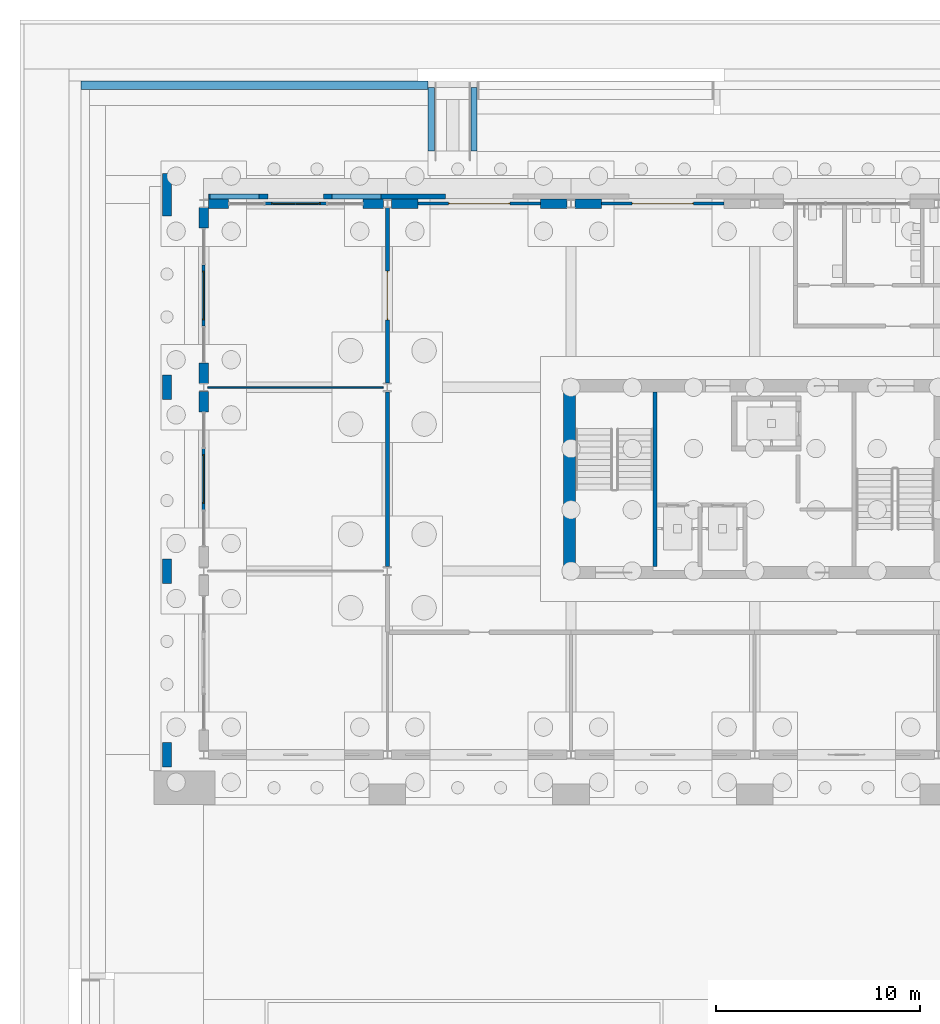
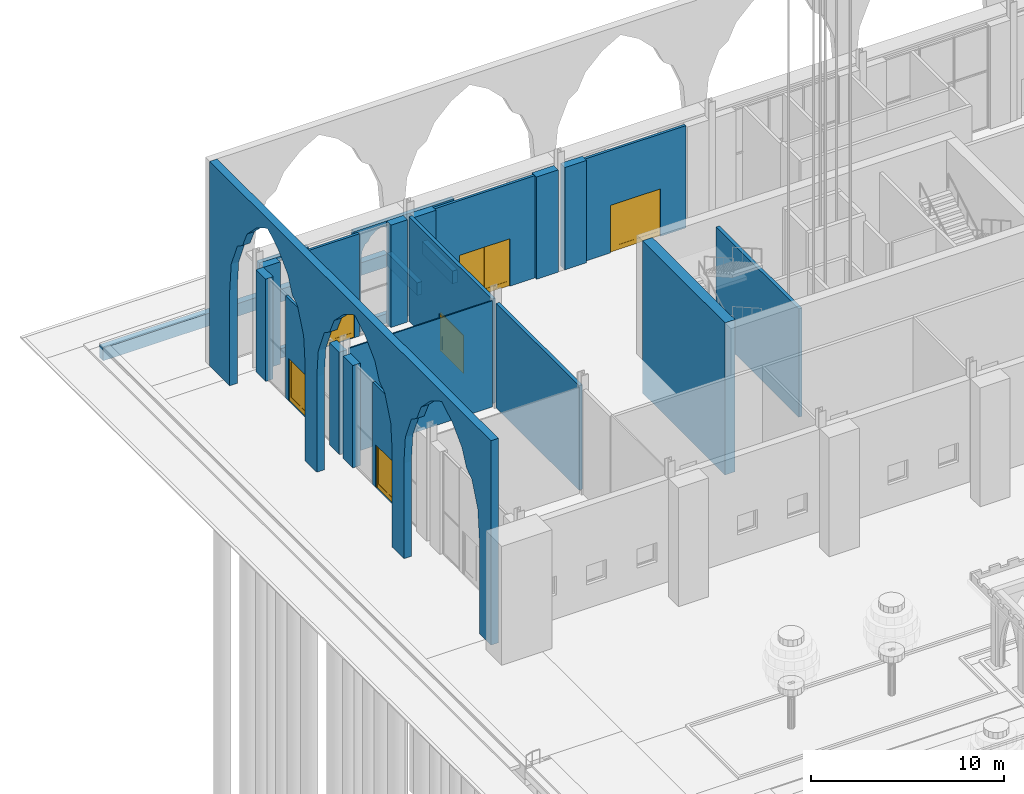
# One storey, part 134 of 250: 24 walls, 6 doors, 6 openings.
"""IFC4 building model written with IfcOpenShell, lengths in metres."""

from ifc_helpers import new_model, si_unit, direction, frame, frame_2d, origin, place, context, subcontext, project, spatial, polyline, rectangle, outline, extrude, material, layer, layer_set, type_object, element, fill, save


model = new_model("IFC4")

# Units and contexts
model_context = context("Model", 3, precision=1e-05, world=origin(), true_north=direction((0.0, 1.0)))
body_context = subcontext(model_context, "Body", "Model", "MODEL_VIEW")
ifc_project = project(units=[si_unit("LENGTHUNIT", "METRE"), si_unit("AREAUNIT", "SQUARE_METRE"), si_unit("VOLUMEUNIT", "CUBIC_METRE"), si_unit("PLANEANGLEUNIT", "RADIAN"), si_unit("MASSUNIT", "GRAM", prefix="KILO")], contexts=[model_context])

# Site, building, storey
site_placement = place(None, origin())
site = spatial("IfcSite", under=ifc_project, at=site_placement, CompositionType="ELEMENT")
building_placement = place(site_placement, origin())
building = spatial("IfcBuilding", under=site, at=building_placement, Name="Baradari Gate Terminus", CompositionType="ELEMENT")
storey_placement = place(building_placement, origin())
storey = spatial("IfcBuildingStorey", under=building, at=storey_placement, Name="L00", CompositionType="ELEMENT", Elevation=0.0)

# Wall, opening, door
ifc_material_1 = material(Name="Laminated glass in aluminium frame", Category="aluminium")
ifc_layer_1 = layer(ifc_material_1, 0.14990234375)
ifc_layer_set_1 = layer_set([ifc_layer_1], Name="Laminated glass in aluminium frame")
wall_type_1 = type_object("IfcWallType", Name="Glazed entrance screen WG-1 150", PredefinedType="ELEMENTEDWALL", material=ifc_layer_set_1)
wall_1_placement = place(storey_placement, frame((12.0126953125, 144.0, 0.0), z_axis=(0.0, 0.0, 1.0), x_axis=(1.0, 0.0, 0.0)))
wall_1 = element("IfcWall", 1, at=wall_1_placement, inside=storey, type_object=wall_type_1, Name="Glazed entrance screen TN bay 1 L00", PredefinedType="ELEMENTEDWALL", context=body_context, shape_type="SweptSolid", body=[
    extrude(rectangle(XDim=3.0, YDim=0.14990234375, at=frame_2d((1.5, 0.0))), origin(), (0.0, 0.0, 1.0), 6.459716796875),
])
opening_1_placement = place(wall_1_placement, frame((0.300048828125, 0.0, 0.0)))
opening_1 = element("IfcOpeningElement", 2, at=opening_1_placement, cuts=wall_1, Name="Opening D00-001", PredefinedType="OPENING", context=body_context, shape_type="SweptSolid", body=[
    extrude(rectangle(XDim=2.39990234375, YDim=2.699951171875, at=frame_2d((1.199951171875, 1.35009765625))), frame((0.0, 0.0849609375, 0.0), z_axis=(0.0, -1.0, 0.0), x_axis=(1.0, 0.0, 0.0)), (0.0, 0.0, 1.0), 0.169921875),
])
ifc_material_2 = material(Name="Aluminium 6063-T6", Category="aluminium")
door_type_1 = type_object("IfcDoorType", Name="Shop entrance door pair, glazed DT-2 2400x2700", OperationType="DOUBLE_DOOR_DOUBLE_SWING", PredefinedType="DOOR", material=ifc_material_2)
door_1_placement = place(opening_1_placement, origin())
door_1 = element("IfcDoor", 3, at=door_1_placement, inside=storey, type_object=door_type_1, Name="Entrance door Corner Entrance Hall", OperationType="DOUBLE_DOOR_SINGLE_SWING", OverallHeight=2.7, OverallWidth=2.4, PredefinedType="DOOR", context=body_context, shape_type="SweptSolid", body=[
    extrude(outline(polyline([(0.0, 0.0), (0.070068359375, 0.0), (0.070068359375, 2.6298828125), (2.329833984375, 2.6298828125), (2.329833984375, 0.0), (2.39990234375, 0.0), (2.39990234375, 2.699951171875), (0.0, 2.699951171875), (0.0, 0.0)])), frame((0.0, 0.02490234375, 0.0), z_axis=(0.0, -1.0, 0.0), x_axis=(1.0, 0.0, 0.0)), (0.0, 0.0, 1.0), 0.050048828125),
    extrude(outline(polyline([(0.073974609375, 0.010009765625), (1.19677734375, 0.010009765625), (1.19677734375, 2.6259765625), (0.073974609375, 2.6259765625), (0.073974609375, 0.010009765625)]), holes=[polyline([(0.1640625, 0.31005859375), (1.10693359375, 0.31005859375), (1.10693359375, 2.535888671875), (0.1640625, 2.535888671875), (0.1640625, 0.31005859375)])]), frame((0.0, 0.017333984375, 0.0), z_axis=(0.0, -1.0, 0.0), x_axis=(1.0, 0.0, 0.0)), (0.0, 0.0, 1.0), 0.034912109375),
    extrude(rectangle(XDim=0.94287109375, YDim=2.225830078125, at=frame_2d((0.635498046875, 1.4228515625))), frame((0.0, 0.005859375, 0.0), z_axis=(0.0, -1.0, 0.0), x_axis=(1.0, 0.0, 0.0)), (0.0, 0.0, 1.0), 0.011962890625),
    extrude(outline(polyline([(1.203125, 0.010009765625), (2.325927734375, 0.010009765625), (2.325927734375, 2.6259765625), (1.203125, 2.6259765625), (1.203125, 0.010009765625)]), holes=[polyline([(1.29296875, 0.31005859375), (2.23583984375, 0.31005859375), (2.23583984375, 2.535888671875), (1.29296875, 2.535888671875), (1.29296875, 0.31005859375)])]), frame((0.0, 0.017333984375, 0.0), z_axis=(0.0, -1.0, 0.0), x_axis=(1.0, 0.0, 0.0)), (0.0, 0.0, 1.0), 0.034912109375),
    extrude(rectangle(XDim=0.94287109375, YDim=2.225830078125, at=frame_2d((1.764404296875, 1.4228515625))), frame((0.0, 0.005859375, 0.0), z_axis=(0.0, -1.0, 0.0), x_axis=(1.0, 0.0, 0.0)), (0.0, 0.0, 1.0), 0.011962890625),
])
fill(opening_1, door_1)

wall_2_placement = place(storey_placement, frame((19.5, 144.0, 0.0), z_axis=(0.0, 0.0, 1.0), x_axis=(1.0, 0.0, 0.0)))
wall_2 = element("IfcWall", 4, at=wall_2_placement, inside=storey, type_object=wall_type_1, Name="Glazed entrance screen TN bay 2 L00", PredefinedType="ELEMENTEDWALL", context=body_context, shape_type="SweptSolid", body=[
    extrude(rectangle(XDim=6.0, YDim=0.14990234375, at=frame_2d((3.0, 0.0))), origin(), (0.0, 0.0, 1.0), 6.459716796875),
])
opening_2_placement = place(wall_2_placement, frame((1.5, 0.0, 0.0)))
opening_2 = element("IfcOpeningElement", 5, at=opening_2_placement, cuts=wall_2, Name="Opening D00-002", PredefinedType="OPENING", context=body_context, shape_type="SweptSolid", body=[
    extrude(rectangle(XDim=3.0, YDim=3.0, at=frame_2d((1.5, 1.5))), frame((0.0, 0.0849609375, 0.0), z_axis=(0.0, -1.0, 0.0), x_axis=(1.0, 0.0, 0.0)), (0.0, 0.0, 1.0), 0.169921875),
])
ifc_material_3 = material(Name="Aluminium 6063-T6", Category="aluminium")
door_type_2 = type_object("IfcDoorType", Name="Operations block entrance door pair, glazed DT-1 3000x3000", OperationType="DOUBLE_DOOR_DOUBLE_SWING", PredefinedType="DOOR", material=ifc_material_3)
door_2_placement = place(opening_2_placement, origin())
door_2 = element("IfcDoor", 6, at=door_2_placement, inside=storey, type_object=door_type_2, Name="Entrance door Staff and Visitor Lobby", OperationType="DOUBLE_DOOR_SINGLE_SWING", OverallHeight=3.0, OverallWidth=3.0, PredefinedType="DOOR", context=body_context, shape_type="SweptSolid", body=[
    extrude(outline(polyline([(0.0, 0.0), (0.070068359375, 0.0), (0.070068359375, 2.929931640625), (2.929931640625, 2.929931640625), (2.929931640625, 0.0), (3.0, 0.0), (3.0, 3.0), (0.0, 3.0), (0.0, 0.0)])), frame((0.0, 0.02490234375, 0.0), z_axis=(0.0, -1.0, 0.0), x_axis=(1.0, 0.0, 0.0)), (0.0, 0.0, 1.0), 0.050048828125),
    extrude(outline(polyline([(0.073974609375, 0.010009765625), (1.4970703125, 0.010009765625), (1.4970703125, 2.926025390625), (0.073974609375, 2.926025390625), (0.073974609375, 0.010009765625)]), holes=[polyline([(0.1640625, 0.31005859375), (1.406982421875, 0.31005859375), (1.406982421875, 2.8359375), (0.1640625, 2.8359375), (0.1640625, 0.31005859375)])]), frame((0.0, 0.017333984375, 0.0), z_axis=(0.0, -1.0, 0.0), x_axis=(1.0, 0.0, 0.0)), (0.0, 0.0, 1.0), 0.034912109375),
    extrude(rectangle(XDim=1.242919921875, YDim=2.52587890625, at=frame_2d((0.78564453125, 1.572998046875))), frame((0.0, 0.005859375, 0.0), z_axis=(0.0, -1.0, 0.0), x_axis=(1.0, 0.0, 0.0)), (0.0, 0.0, 1.0), 0.011962890625),
    extrude(outline(polyline([(1.5029296875, 0.010009765625), (2.926025390625, 0.010009765625), (2.926025390625, 2.926025390625), (1.5029296875, 2.926025390625), (1.5029296875, 0.010009765625)]), holes=[polyline([(1.593017578125, 0.31005859375), (2.8359375, 0.31005859375), (2.8359375, 2.8359375), (1.593017578125, 2.8359375), (1.593017578125, 0.31005859375)])]), frame((0.0, 0.017333984375, 0.0), z_axis=(0.0, -1.0, 0.0), x_axis=(1.0, 0.0, 0.0)), (0.0, 0.0, 1.0), 0.034912109375),
    extrude(rectangle(XDim=1.242919921875, YDim=2.52587890625, at=frame_2d((2.21435546875, 1.572998046875))), frame((0.0, 0.005859375, 0.0), z_axis=(0.0, -1.0, 0.0), x_axis=(1.0, 0.0, 0.0)), (0.0, 0.0, 1.0), 0.011962890625),
])
fill(opening_2, door_2)

wall_3_placement = place(storey_placement, frame((28.5, 144.0, 0.0), z_axis=(0.0, 0.0, 1.0), x_axis=(1.0, 0.0, 0.0)))
wall_3 = element("IfcWall", 7, at=wall_3_placement, inside=storey, type_object=wall_type_1, Name="Glazed entrance screen TN bay 3 L00", PredefinedType="ELEMENTEDWALL", context=body_context, shape_type="SweptSolid", body=[
    extrude(rectangle(XDim=6.0, YDim=0.14990234375, at=frame_2d((3.0, 0.0))), origin(), (0.0, 0.0, 1.0), 6.459716796875),
])
opening_3_placement = place(wall_3_placement, frame((1.5, 0.0, 0.0)))
opening_3 = element("IfcOpeningElement", 8, at=opening_3_placement, cuts=wall_3, Name="Opening D00-003", PredefinedType="OPENING", context=body_context, shape_type="SweptSolid", body=[
    extrude(rectangle(XDim=3.0, YDim=3.0, at=frame_2d((1.5, 1.5))), frame((0.0, 0.0849609375, 0.0), z_axis=(0.0, -1.0, 0.0), x_axis=(1.0, 0.0, 0.0)), (0.0, 0.0, 1.0), 0.169921875),
])
door_3_placement = place(opening_3_placement, origin())
door_3 = element("IfcDoor", 9, at=door_3_placement, inside=storey, type_object=door_type_2, Name="Entrance door Staff and Visitor Lobby", OperationType="DOUBLE_DOOR_SINGLE_SWING", OverallHeight=3.0, OverallWidth=3.0, PredefinedType="DOOR", context=body_context, shape_type="SweptSolid", body=[
    extrude(outline(polyline([(0.0, 0.0), (0.070068359375, 0.0), (0.070068359375, 2.929931640625), (2.929931640625, 2.929931640625), (2.929931640625, 0.0), (3.0, 0.0), (3.0, 3.0), (0.0, 3.0), (0.0, 0.0)])), frame((0.0, 0.02490234375, 0.0), z_axis=(0.0, -1.0, 0.0), x_axis=(1.0, 0.0, 0.0)), (0.0, 0.0, 1.0), 0.050048828125),
    extrude(outline(polyline([(0.073974609375, 0.010009765625), (1.4970703125, 0.010009765625), (1.4970703125, 2.926025390625), (0.073974609375, 2.926025390625), (0.073974609375, 0.010009765625)]), holes=[polyline([(0.1640625, 0.31005859375), (1.406982421875, 0.31005859375), (1.406982421875, 2.8359375), (0.1640625, 2.8359375), (0.1640625, 0.31005859375)])]), frame((0.0, 0.017333984375, 0.0), z_axis=(0.0, -1.0, 0.0), x_axis=(1.0, 0.0, 0.0)), (0.0, 0.0, 1.0), 0.034912109375),
    extrude(rectangle(XDim=1.242919921875, YDim=2.52587890625, at=frame_2d((0.78564453125, 1.572998046875))), frame((0.0, 0.005859375, 0.0), z_axis=(0.0, -1.0, 0.0), x_axis=(1.0, 0.0, 0.0)), (0.0, 0.0, 1.0), 0.011962890625),
    extrude(outline(polyline([(1.5029296875, 0.010009765625), (2.926025390625, 0.010009765625), (2.926025390625, 2.926025390625), (1.5029296875, 2.926025390625), (1.5029296875, 0.010009765625)]), holes=[polyline([(1.593017578125, 0.31005859375), (2.8359375, 0.31005859375), (2.8359375, 2.8359375), (1.593017578125, 2.8359375), (1.593017578125, 0.31005859375)])]), frame((0.0, 0.017333984375, 0.0), z_axis=(0.0, -1.0, 0.0), x_axis=(1.0, 0.0, 0.0)), (0.0, 0.0, 1.0), 0.034912109375),
    extrude(rectangle(XDim=1.242919921875, YDim=2.52587890625, at=frame_2d((2.21435546875, 1.572998046875))), frame((0.0, 0.005859375, 0.0), z_axis=(0.0, -1.0, 0.0), x_axis=(1.0, 0.0, 0.0)), (0.0, 0.0, 1.0), 0.011962890625),
])
fill(opening_3, door_3)

wall_4_placement = place(storey_placement, frame((9.0, 129.0, 0.0), z_axis=(0.0, 0.0, 1.0), x_axis=(0.0, 1.0, 0.0)))
wall_4 = element("IfcWall", 10, at=wall_4_placement, inside=storey, type_object=wall_type_1, Name="Glazed entrance screen TW bay 14 L00", PredefinedType="ELEMENTEDWALL", context=body_context, shape_type="SweptSolid", body=[
    extrude(rectangle(XDim=3.0, YDim=0.14990234375, at=frame_2d((1.5, 0.0))), origin(), (0.0, 0.0, 1.0), 6.459716796875),
])
opening_4_placement = place(wall_4_placement, frame((0.300048828125, 0.0, 0.0)))
opening_4 = element("IfcOpeningElement", 11, at=opening_4_placement, cuts=wall_4, Name="Opening D00-008", PredefinedType="OPENING", context=body_context, shape_type="SweptSolid", body=[
    extrude(rectangle(XDim=2.39990234375, YDim=2.699951171875, at=frame_2d((1.199951171875, 1.35009765625))), frame((0.0, 0.0849609375, 0.0), z_axis=(0.0, -1.0, 0.0), x_axis=(1.0, 0.0, 0.0)), (0.0, 0.0, 1.0), 0.169921875),
])
door_4_placement = place(opening_4_placement, origin())
door_4 = element("IfcDoor", 12, at=door_4_placement, inside=storey, type_object=door_type_1, Name="Entrance door Kiosk 2", OperationType="DOUBLE_DOOR_SINGLE_SWING", OverallHeight=2.7, OverallWidth=2.4, PredefinedType="DOOR", context=body_context, shape_type="SweptSolid", body=[
    extrude(outline(polyline([(0.0, 0.0), (0.070068359375, 0.0), (0.070068359375, 2.6298828125), (2.329833984375, 2.6298828125), (2.329833984375, 0.0), (2.39990234375, 0.0), (2.39990234375, 2.699951171875), (0.0, 2.699951171875), (0.0, 0.0)])), frame((0.0, 0.02490234375, 0.0), z_axis=(0.0, -1.0, 0.0), x_axis=(1.0, 0.0, 0.0)), (0.0, 0.0, 1.0), 0.050048828125),
    extrude(outline(polyline([(0.073974609375, 0.010009765625), (1.19677734375, 0.010009765625), (1.19677734375, 2.6259765625), (0.073974609375, 2.6259765625), (0.073974609375, 0.010009765625)]), holes=[polyline([(0.1640625, 0.31005859375), (1.10693359375, 0.31005859375), (1.10693359375, 2.535888671875), (0.1640625, 2.535888671875), (0.1640625, 0.31005859375)])]), frame((0.0, 0.017333984375, 0.0), z_axis=(0.0, -1.0, 0.0), x_axis=(1.0, 0.0, 0.0)), (0.0, 0.0, 1.0), 0.034912109375),
    extrude(rectangle(XDim=0.94287109375, YDim=2.225830078125, at=frame_2d((0.635498046875, 1.4228515625))), frame((0.0, 0.005859375, 0.0), z_axis=(0.0, -1.0, 0.0), x_axis=(1.0, 0.0, 0.0)), (0.0, 0.0, 1.0), 0.011962890625),
    extrude(outline(polyline([(1.203125, 0.010009765625), (2.325927734375, 0.010009765625), (2.325927734375, 2.6259765625), (1.203125, 2.6259765625), (1.203125, 0.010009765625)]), holes=[polyline([(1.29296875, 0.31005859375), (2.23583984375, 0.31005859375), (2.23583984375, 2.535888671875), (1.29296875, 2.535888671875), (1.29296875, 0.31005859375)])]), frame((0.0, 0.017333984375, 0.0), z_axis=(0.0, -1.0, 0.0), x_axis=(1.0, 0.0, 0.0)), (0.0, 0.0, 1.0), 0.034912109375),
    extrude(rectangle(XDim=0.94287109375, YDim=2.225830078125, at=frame_2d((1.764404296875, 1.4228515625))), frame((0.0, 0.005859375, 0.0), z_axis=(0.0, -1.0, 0.0), x_axis=(1.0, 0.0, 0.0)), (0.0, 0.0, 1.0), 0.011962890625),
])
fill(opening_4, door_4)

wall_5_placement = place(storey_placement, frame((9.0, 138.0, 0.0), z_axis=(0.0, 0.0, 1.0), x_axis=(0.0, 1.0, 0.0)))
wall_5 = element("IfcWall", 13, at=wall_5_placement, inside=storey, type_object=wall_type_1, Name="Glazed entrance screen TW bay 15 L00", PredefinedType="ELEMENTEDWALL", context=body_context, shape_type="SweptSolid", body=[
    extrude(rectangle(XDim=3.0, YDim=0.14990234375, at=frame_2d((1.5, 0.0))), origin(), (0.0, 0.0, 1.0), 6.459716796875),
])
opening_5_placement = place(wall_5_placement, frame((0.300048828125, 0.0, 0.0)))
opening_5 = element("IfcOpeningElement", 14, at=opening_5_placement, cuts=wall_5, Name="Opening D00-009", PredefinedType="OPENING", context=body_context, shape_type="SweptSolid", body=[
    extrude(rectangle(XDim=2.39990234375, YDim=2.699951171875, at=frame_2d((1.199951171875, 1.35009765625))), frame((0.0, 0.0849609375, 0.0), z_axis=(0.0, -1.0, 0.0), x_axis=(1.0, 0.0, 0.0)), (0.0, 0.0, 1.0), 0.169921875),
])
door_5_placement = place(opening_5_placement, origin())
door_5 = element("IfcDoor", 15, at=door_5_placement, inside=storey, type_object=door_type_1, Name="Entrance door Corner Entrance Hall", OperationType="DOUBLE_DOOR_SINGLE_SWING", OverallHeight=2.7, OverallWidth=2.4, PredefinedType="DOOR", context=body_context, shape_type="SweptSolid", body=[
    extrude(outline(polyline([(0.0, 0.0), (0.070068359375, 0.0), (0.070068359375, 2.6298828125), (2.329833984375, 2.6298828125), (2.329833984375, 0.0), (2.39990234375, 0.0), (2.39990234375, 2.699951171875), (0.0, 2.699951171875), (0.0, 0.0)])), frame((0.0, 0.02490234375, 0.0), z_axis=(0.0, -1.0, 0.0), x_axis=(1.0, 0.0, 0.0)), (0.0, 0.0, 1.0), 0.050048828125),
    extrude(outline(polyline([(0.073974609375, 0.010009765625), (1.19677734375, 0.010009765625), (1.19677734375, 2.6259765625), (0.073974609375, 2.6259765625), (0.073974609375, 0.010009765625)]), holes=[polyline([(0.1640625, 0.31005859375), (1.10693359375, 0.31005859375), (1.10693359375, 2.535888671875), (0.1640625, 2.535888671875), (0.1640625, 0.31005859375)])]), frame((0.0, 0.017333984375, 0.0), z_axis=(0.0, -1.0, 0.0), x_axis=(1.0, 0.0, 0.0)), (0.0, 0.0, 1.0), 0.034912109375),
    extrude(rectangle(XDim=0.94287109375, YDim=2.225830078125, at=frame_2d((0.635498046875, 1.4228515625))), frame((0.0, 0.005859375, 0.0), z_axis=(0.0, -1.0, 0.0), x_axis=(1.0, 0.0, 0.0)), (0.0, 0.0, 1.0), 0.011962890625),
    extrude(outline(polyline([(1.203125, 0.010009765625), (2.325927734375, 0.010009765625), (2.325927734375, 2.6259765625), (1.203125, 2.6259765625), (1.203125, 0.010009765625)]), holes=[polyline([(1.29296875, 0.31005859375), (2.23583984375, 0.31005859375), (2.23583984375, 2.535888671875), (1.29296875, 2.535888671875), (1.29296875, 0.31005859375)])]), frame((0.0, 0.017333984375, 0.0), z_axis=(0.0, -1.0, 0.0), x_axis=(1.0, 0.0, 0.0)), (0.0, 0.0, 1.0), 0.034912109375),
    extrude(rectangle(XDim=0.94287109375, YDim=2.225830078125, at=frame_2d((1.764404296875, 1.4228515625))), frame((0.0, 0.005859375, 0.0), z_axis=(0.0, -1.0, 0.0), x_axis=(1.0, 0.0, 0.0)), (0.0, 0.0, 1.0), 0.011962890625),
])
fill(opening_5, door_5)

# Walls
ifc_material_4 = material(Name="Aluminium framed glazed partition", Category="aluminium")
ifc_layer_2 = layer(ifc_material_4, 0.074951171875)
ifc_layer_set_2 = layer_set([ifc_layer_2], Name="Aluminium framed glazed partition")
wall_type_2 = type_object("IfcWallType", Name="Kiosk partition PT-9 75 EI 60", PredefinedType="PARTITIONING", material=ifc_layer_set_2)
wall_6_placement = place(storey_placement, frame((17.7939453125, 135.0, 0.0), z_axis=(0.0, 0.0, 1.0), x_axis=(-1.0, 0.0, 0.0)))
element("IfcWall", 16, at=wall_6_placement, inside=storey, type_object=wall_type_2, Name="PT-9 partition Corner Entrance Hall / Kiosk 2", PredefinedType="PARTITIONING", context=body_context, shape_type="SweptSolid", body=[
    extrude(rectangle(XDim=8.594482421875, YDim=0.074951171875, at=frame_2d((4.29736328125, 0.0))), origin(), (0.0, 0.0, 1.0), 6.69189453125),
])
ifc_material_5 = material(Name="Laterite masonry", Category="masonry")
ifc_layer_3 = layer(ifc_material_5, 0.449951171875)
ifc_layer_set_3 = layer_set([ifc_layer_3], Name="Laterite masonry")
wall_type_3 = type_object("IfcWallType", Name="Laterite masonry pier WC-1 450", PredefinedType="SOLIDWALL", material=ifc_layer_set_3)
wall_7_placement = place(storey_placement, frame((9.22509765625, 144.0, 0.0), z_axis=(0.0, 0.0, 1.0), x_axis=(1.0, 0.0, 0.0)))
element("IfcWall", 17, at=wall_7_placement, inside=storey, type_object=wall_type_3, Name="Stone-clad pier TN bay 1 L00", PredefinedType="SOLIDWALL", context=body_context, shape_type="SweptSolid", body=[
    extrude(rectangle(XDim=0.987548828125, YDim=0.449951171875, at=frame_2d((0.49365234375, 0.0))), origin(), (0.0, 0.0, 1.0), 6.459716796875),
])
wall_8_placement = place(storey_placement, frame((16.812744140625, 144.0, 0.0), z_axis=(0.0, 0.0, 1.0), x_axis=(1.0, 0.0, 0.0)))
element("IfcWall", 18, at=wall_8_placement, inside=storey, type_object=wall_type_3, Name="Stone-clad pier TN bay 1 L00", PredefinedType="SOLIDWALL", context=body_context, shape_type="SweptSolid", body=[
    extrude(rectangle(XDim=0.98779296875, YDim=0.449951171875, at=frame_2d((0.493896484375, 0.0))), origin(), (0.0, 0.0, 1.0), 6.459716796875),
])
for number, where, z_axis, x_axis, name in (
    (19, (18.199462890625, 144.0, 0.0), (0.0, 0.0, 1.0), (1.0, 0.0, 0.0), "Stone-clad pier TN bay 2 L00"),
    (20, (25.5, 144.0, 0.0), (0.0, 0.0, 1.0), (1.0, 0.0, 0.0), "Stone-clad pier TN bay 2 L00"),
    (21, (27.199462890625, 144.0, 0.0), (0.0, 0.0, 1.0), (1.0, 0.0, 0.0), "Stone-clad pier TN bay 3 L00"),
):
    element("IfcWall", number, at=place(storey_placement, frame(where, z_axis=z_axis, x_axis=x_axis)), inside=storey, type_object=wall_type_3, Name=name, PredefinedType="SOLIDWALL", context=body_context, shape_type="SweptSolid", body=[
        extrude(rectangle(XDim=1.300537109375, YDim=0.449951171875, at=frame_2d((0.650390625, 0.0))), origin(), (0.0, 0.0, 1.0), 6.459716796875),
    ])
for number, where, z_axis, x_axis, name in (
    (22, (9.0, 133.800048828125, 0.0), (0.0, 0.0, 1.0), (0.0, 1.0, 0.0), "Stone-clad pier TW bay 14 L00"),
    (23, (9.0, 135.19677734375, 0.0), (0.0, 0.0, 1.0), (0.0, 1.0, 0.0), "Stone-clad pier TW bay 15 L00"),
    (24, (9.0, 142.800048828125, 0.0), (0.0, 0.0, 1.0), (0.0, 1.0, 0.0), "Stone-clad pier TW bay 15 L00"),
):
    element("IfcWall", number, at=place(storey_placement, frame(where, z_axis=z_axis, x_axis=x_axis)), inside=storey, type_object=wall_type_3, Name=name, PredefinedType="SOLIDWALL", context=body_context, shape_type="SweptSolid", body=[
        extrude(rectangle(XDim=1.003173828125, YDim=0.449951171875, at=frame_2d((0.50146484375, 0.0))), origin(), (0.0, 0.0, 1.0), 6.459716796875),
    ])
wall_9_placement = place(storey_placement, frame((7.199951171875, 116.39990234375, 0.0), z_axis=(0.0, 0.0, 1.0), x_axis=(0.0, 1.0, 0.0)))
element("IfcWall", 25, at=wall_9_placement, inside=storey, type_object=wall_type_3, Name="Operations block arcade west screen 1", PredefinedType="SOLIDWALL", context=body_context, shape_type="SweptSolid", body=[
    extrude(outline(polyline([(1.199951171875, 0.0), (1.199951171875, 6.0), (1.35595703125, 7.763916015625), (1.97998046875, 9.27587890625), (2.52587890625, 9.654052734375), (2.993896484375, 10.662109375), (4.008056640625, 11.669921875), (5.10009765625, 12.300048828125), (6.19189453125, 11.669921875), (7.2060546875, 10.662109375), (7.674072265625, 9.654052734375), (8.219970703125, 9.27587890625), (8.843994140625, 7.763916015625), (9.0, 6.0), (9.0, 0.0), (10.199951171875, 0.0), (10.199951171875, 6.0), (10.35595703125, 7.763916015625), (10.97998046875, 9.27587890625), (11.52587890625, 9.654052734375), (11.993896484375, 10.662109375), (13.008056640625, 11.669921875), (14.10009765625, 12.300048828125), (15.19189453125, 11.669921875), (16.2060546875, 10.662109375), (16.674072265625, 9.654052734375), (17.219970703125, 9.27587890625), (17.843994140625, 7.763916015625), (18.0, 6.0), (18.0, 0.0), (19.199951171875, 0.0), (19.199951171875, 6.0), (19.35595703125, 7.763916015625), (19.97998046875, 9.27587890625), (20.52587890625, 9.654052734375), (20.993896484375, 10.662109375), (22.008056640625, 11.669921875), (23.10009765625, 12.300048828125), (24.19189453125, 11.669921875), (25.2060546875, 10.662109375), (25.674072265625, 9.654052734375), (26.219970703125, 9.27587890625), (26.843994140625, 7.763916015625), (27.0, 6.0), (27.0, 0.0), (29.074951171875, 0.0), (29.074951171875, 12.89990234375), (0.0, 12.89990234375), (0.0, 0.0), (1.199951171875, 0.0)])), frame((0.0, 0.22509765625, 0.0), z_axis=(0.0, -1.0, 0.0), x_axis=(1.0, 0.0, 0.0)), (0.0, 0.0, 1.0), 0.449951171875),
])
ifc_material_6 = material(Name="Laterite masonry", Category="masonry")
ifc_layer_4 = layer(ifc_material_6, 0.25)
ifc_layer_set_4 = layer_set([ifc_layer_4], Name="Laterite masonry")
wall_type_4 = type_object("IfcWallType", Name="Laterite masonry wall WP-1 250", PredefinedType="SOLIDWALL", material=ifc_layer_set_4)
wall_10_placement = place(storey_placement, frame((9.22509765625, 144.35009765625, 0.0), z_axis=(0.0, 0.0, 1.0), x_axis=(1.0, 0.0, 0.0)))
element("IfcWall", 26, at=wall_10_placement, inside=storey, type_object=wall_type_4, Name="Operations block base front course 1", PredefinedType="SOLIDWALL", context=body_context, shape_type="SweptSolid", body=[
    extrude(outline(polyline([(2.937744140625, 0.0), (2.937744140625, 6.459716796875), (0.0, 6.459716796875), (0.0, 0.0), (2.937744140625, 0.0)]), holes=[polyline([(0.31494140625, 5.431884765625), (0.48291015625, 5.528076171875), (0.626953125, 5.783935546875), (0.93896484375, 6.0400390625), (1.27490234375, 6.199951171875), (1.611083984375, 6.0400390625), (1.923095703125, 5.783935546875), (2.06689453125, 5.528076171875), (2.235107421875, 5.431884765625), (2.427001953125, 5.048095703125), (2.47509765625, 4.60009765625), (2.47509765625, 0.60009765625), (0.074951171875, 0.60009765625), (0.074951171875, 4.60009765625), (0.123046875, 5.048095703125), (0.31494140625, 5.431884765625)])]), frame((0.0, 0.125, 0.0), z_axis=(0.0, -1.0, 0.0), x_axis=(1.0, 0.0, 0.0)), (0.0, 0.0, 1.0), 0.25),
])
wall_11_placement = place(storey_placement, frame((14.86279296875, 144.35009765625, 0.0), z_axis=(0.0, 0.0, 1.0), x_axis=(1.0, 0.0, 0.0)))
element("IfcWall", 27, at=wall_11_placement, inside=storey, type_object=wall_type_4, Name="Operations block base front course 2", PredefinedType="SOLIDWALL", context=body_context, shape_type="SweptSolid", body=[
    extrude(outline(polyline([(5.9873046875, 0.0), (5.9873046875, 6.459716796875), (0.0, 6.459716796875), (0.0, 0.0), (5.9873046875, 0.0)]), holes=[polyline([(0.84521484375, 5.528076171875), (0.9892578125, 5.783935546875), (1.30126953125, 6.0400390625), (1.63720703125, 6.199951171875), (1.97314453125, 6.0400390625), (2.28515625, 5.783935546875), (2.42919921875, 5.528076171875), (2.59716796875, 5.431884765625), (2.789306640625, 5.048095703125), (2.837158203125, 4.60009765625), (2.837158203125, 0.60009765625), (0.437255859375, 0.60009765625), (0.437255859375, 4.60009765625), (0.4853515625, 5.048095703125), (0.67724609375, 5.431884765625), (0.84521484375, 5.528076171875)])]), frame((0.0, 0.125, 0.0), z_axis=(0.0, -1.0, 0.0), x_axis=(1.0, 0.0, 0.0)), (0.0, 0.0, 1.0), 0.25),
])
ifc_material_7 = material(Name="Blockwork wall, plastered, fire rated", Category="masonry")
ifc_layer_5 = layer(ifc_material_7, 0.199951171875)
ifc_layer_set_5 = layer_set([ifc_layer_5], Name="Blockwork wall, plastered, fire rated")
wall_type_5 = type_object("IfcWallType", Name="Lobby partition PT-4 200 EI 60", PredefinedType="PARTITIONING", material=ifc_layer_set_5)
wall_12_placement = place(storey_placement, frame((18.0, 126.21826171875, 0.0), z_axis=(0.0, 0.0, 1.0), x_axis=(0.0, 1.0, 0.0)))
element("IfcWall", 28, at=wall_12_placement, inside=storey, type_object=wall_type_5, Name="PT-4 partition Staff and Visitor Lobby / Kiosk 2", PredefinedType="PARTITIONING", context=body_context, shape_type="SweptSolid", body=[
    extrude(rectangle(XDim=8.5634765625, YDim=0.199951171875, at=frame_2d((4.28173828125, 0.0))), origin(), (0.0, 0.0, 1.0), 6.60009765625),
])

# Wall, opening, door
wall_13_placement = place(storey_placement, frame((18.0, 135.21826171875, 0.0), z_axis=(0.0, 0.0, 1.0), x_axis=(0.0, 1.0, 0.0)))
wall_13 = element("IfcWall", 29, at=wall_13_placement, inside=storey, type_object=wall_type_5, Name="PT-4 partition Staff and Visitor Lobby / Corner Entrance Hall", PredefinedType="PARTITIONING", context=body_context, shape_type="SweptSolid", body=[
    extrude(rectangle(XDim=8.5849609375, YDim=0.199951171875, at=frame_2d((4.29248046875, 0.0))), origin(), (0.0, 0.0, 1.0), 6.60009765625),
])
opening_6_placement = place(wall_13_placement, frame((3.081787109375, 0.0, 0.0)))
opening_6 = element("IfcOpeningElement", 30, at=opening_6_placement, cuts=wall_13, Name="Opening D00-094", PredefinedType="OPENING", context=body_context, shape_type="SweptSolid", body=[
    extrude(rectangle(XDim=2.39990234375, YDim=2.39990234375, at=frame_2d((1.199951171875, 1.199951171875))), frame((0.0, 0.10986328125, 0.0), z_axis=(0.0, -1.0, 0.0), x_axis=(1.0, 0.0, 0.0)), (0.0, 0.0, 1.0), 0.219970703125),
])
ifc_material_8 = material(Name="Steel S275", Category="steel")
door_type_3 = type_object("IfcDoorType", Name="Fire door FI-2400x2400-FD60S 2400x2400 FD60S", OperationType="DOUBLE_DOOR_SINGLE_SWING", PredefinedType="DOOR", material=ifc_material_8)
door_6_placement = place(opening_6_placement, frame((2.39990234375, 0.0, 0.0), z_axis=(0.0, 0.0, 1.0), x_axis=(-1.0, 0.0, 0.0)))
door_6 = element("IfcDoor", 31, at=door_6_placement, inside=storey, type_object=door_type_3, Name="Door Corner Entrance Hall", OperationType="DOUBLE_DOOR_SINGLE_SWING", OverallHeight=2.4, OverallWidth=2.4, PredefinedType="DOOR", context=body_context, shape_type="SweptSolid", body=[
    extrude(outline(polyline([(0.0, 0.0), (0.070068359375, 0.0), (0.070068359375, 2.329833984375), (2.329833984375, 2.329833984375), (2.329833984375, 0.0), (2.39990234375, 0.0), (2.39990234375, 2.39990234375), (0.0, 2.39990234375), (0.0, 0.0)])), frame((0.0, 0.02490234375, 0.0), z_axis=(0.0, -1.0, 0.0), x_axis=(1.0, 0.0, 0.0)), (0.0, 0.0, 1.0), 0.050048828125),
    extrude(outline(polyline([(0.073974609375, 0.010009765625), (1.19677734375, 0.010009765625), (1.19677734375, 2.325927734375), (0.073974609375, 2.325927734375), (0.073974609375, 0.010009765625)]), holes=[polyline([(0.194091796875, 0.159912109375), (1.076904296875, 0.159912109375), (1.076904296875, 1.010009765625), (0.194091796875, 1.010009765625), (0.194091796875, 0.159912109375)]), polyline([(0.4853515625, 1.159912109375), (0.785400390625, 1.159912109375), (0.785400390625, 1.760009765625), (0.4853515625, 1.760009765625), (0.4853515625, 1.159912109375)])]), frame((0.0, 0.017333984375, 0.0), z_axis=(0.0, -1.0, 0.0), x_axis=(1.0, 0.0, 0.0)), (0.0, 0.0, 1.0), 0.034912109375),
    extrude(rectangle(XDim=0.8828125, YDim=0.85009765625, at=frame_2d((0.635498046875, 0.5849609375))), frame((0.0, 0.008544921875, 0.0), z_axis=(0.0, -1.0, 0.0), x_axis=(1.0, 0.0, 0.0)), (0.0, 0.0, 1.0), 0.017333984375),
    extrude(rectangle(XDim=0.300048828125, YDim=0.60009765625, at=frame_2d((0.63525390625, 1.4599609375))), frame((0.0, 0.005859375, 0.0), z_axis=(0.0, -1.0, 0.0), x_axis=(1.0, 0.0, 0.0)), (0.0, 0.0, 1.0), 0.011962890625),
    extrude(outline(polyline([(1.203125, 0.010009765625), (2.325927734375, 0.010009765625), (2.325927734375, 2.325927734375), (1.203125, 2.325927734375), (1.203125, 0.010009765625)]), holes=[polyline([(1.322998046875, 0.159912109375), (2.205810546875, 0.159912109375), (2.205810546875, 1.010009765625), (1.322998046875, 1.010009765625), (1.322998046875, 0.159912109375)]), polyline([(1.614501953125, 1.159912109375), (1.91455078125, 1.159912109375), (1.91455078125, 1.760009765625), (1.614501953125, 1.760009765625), (1.614501953125, 1.159912109375)])]), frame((0.0, 0.017333984375, 0.0), z_axis=(0.0, -1.0, 0.0), x_axis=(1.0, 0.0, 0.0)), (0.0, 0.0, 1.0), 0.034912109375),
    extrude(rectangle(XDim=0.8828125, YDim=0.85009765625, at=frame_2d((1.764404296875, 0.5849609375))), frame((0.0, 0.008544921875, 0.0), z_axis=(0.0, -1.0, 0.0), x_axis=(1.0, 0.0, 0.0)), (0.0, 0.0, 1.0), 0.017333984375),
    extrude(rectangle(XDim=0.300048828125, YDim=0.60009765625, at=frame_2d((1.7646484375, 1.4599609375))), frame((0.0, 0.005859375, 0.0), z_axis=(0.0, -1.0, 0.0), x_axis=(1.0, 0.0, 0.0)), (0.0, 0.0, 1.0), 0.011962890625),
])
fill(opening_6, door_6)

# Walls
ifc_material_9 = material(Name="Concrete C40/50", Category="concrete")
ifc_layer_6 = layer(ifc_material_9, 0.60009765625)
ifc_layer_set_6 = layer_set([ifc_layer_6], Name="Concrete C40/50")
wall_type_6 = type_object("IfcWallType", Name="Operations block core wall CWL01 600", PredefinedType="SOLIDWALL", material=ifc_layer_set_6)
wall_14_placement = place(storey_placement, frame((26.925048828125, 126.22509765625, -2.10009765625), z_axis=(0.0, 0.0, 1.0), x_axis=(0.0, 1.0, 0.0)))
element("IfcWall", 32, at=wall_14_placement, inside=storey, type_object=wall_type_6, Name="Operations block core wall CT W L00", PredefinedType="SOLIDWALL", context=body_context, shape_type="SweptSolid", body=[
    extrude(rectangle(XDim=8.5498046875, YDim=0.60009765625, at=frame_2d((4.27490234375, 0.0))), origin(), (0.0, 0.0, 1.0), 9.60009765625),
])
ifc_material_10 = material(Name="Sandstone masonry", Category="masonry")
ifc_layer_7 = layer(ifc_material_10, 0.39990234375)
ifc_layer_set_7 = layer_set([ifc_layer_7], Name="Sandstone masonry")
wall_type_7 = type_object("IfcWallType", Name="Plinth retaining wall KW-1 400", PredefinedType="SOLIDWALL", material=ifc_layer_set_7)
wall_15_placement = place(storey_placement, frame((3.0, 149.800048828125, -0.800048828125), z_axis=(0.0, 0.0, 1.0), x_axis=(1.0, 0.0, 0.0)))
element("IfcWall", 33, at=wall_15_placement, inside=storey, type_object=wall_type_7, Name="Plinth retaining wall N1", PredefinedType="SOLIDWALL", context=body_context, shape_type="SweptSolid", body=[
    extrude(rectangle(XDim=17.0, YDim=0.39990234375, at=frame_2d((8.5, 0.0))), origin(), (0.0, 0.0, 1.0), 0.800048828125),
])
ifc_material_11 = material(Name="Sandstone masonry", Category="masonry")
ifc_layer_8 = layer(ifc_material_11, 0.300048828125)
ifc_layer_set_8 = layer_set([ifc_layer_8], Name="Sandstone masonry")
wall_type_8 = type_object("IfcWallType", Name="Retaining cheek wall KW-2 300", PredefinedType="SOLIDWALL", material=ifc_layer_set_8)
for number, where, z_axis, x_axis, name in (
    (34, (20.14990234375, 146.580078125, -0.800048828125), (0.0, 0.0, 1.0), (0.0, 1.0, 0.0), "Ramp cheek wall North-west gate outer"),
    (35, (22.25, 146.580078125, -0.800048828125), (0.0, 0.0, 1.0), (0.0, 1.0, 0.0), "Ramp cheek wall North-west gate inner"),
):
    element("IfcWall", number, at=place(storey_placement, frame(where, z_axis=z_axis, x_axis=x_axis)), inside=storey, type_object=wall_type_8, Name=name, PredefinedType="SOLIDWALL", context=body_context, shape_type="SweptSolid", body=[
        extrude(rectangle(XDim=3.119873046875, YDim=0.300048828125, at=frame_2d((1.56005859375, 0.0))), origin(), (0.0, 0.0, 1.0), 0.800048828125),
    ])
ifc_material_12 = material(Name="Concrete C40/50", Category="concrete")
ifc_layer_9 = layer(ifc_material_12, 0.199951171875)
ifc_layer_set_9 = layer_set([ifc_layer_9], Name="Concrete C40/50")
wall_type_9 = type_object("IfcWallType", Name="Stair enclosure wall SE-1 200 EI 120", PredefinedType="SOLIDWALL", material=ifc_layer_set_9)
wall_16_placement = place(storey_placement, frame((31.125, 126.22705078125, 0.0), z_axis=(0.0, 0.0, 1.0), x_axis=(0.0, 1.0, 0.0)))
element("IfcWall", 36, at=wall_16_placement, inside=storey, type_object=wall_type_9, Name="Stair enclosure wall SE-1 ST-T1 L00 E", PredefinedType="SOLIDWALL", context=body_context, shape_type="SweptSolid", body=[
    extrude(rectangle(XDim=8.5458984375, YDim=0.199951171875, at=frame_2d((4.27294921875, 0.0))), origin(), (0.0, 0.0, 1.0), 6.8359375),
])

save(model, "model.ifc")
